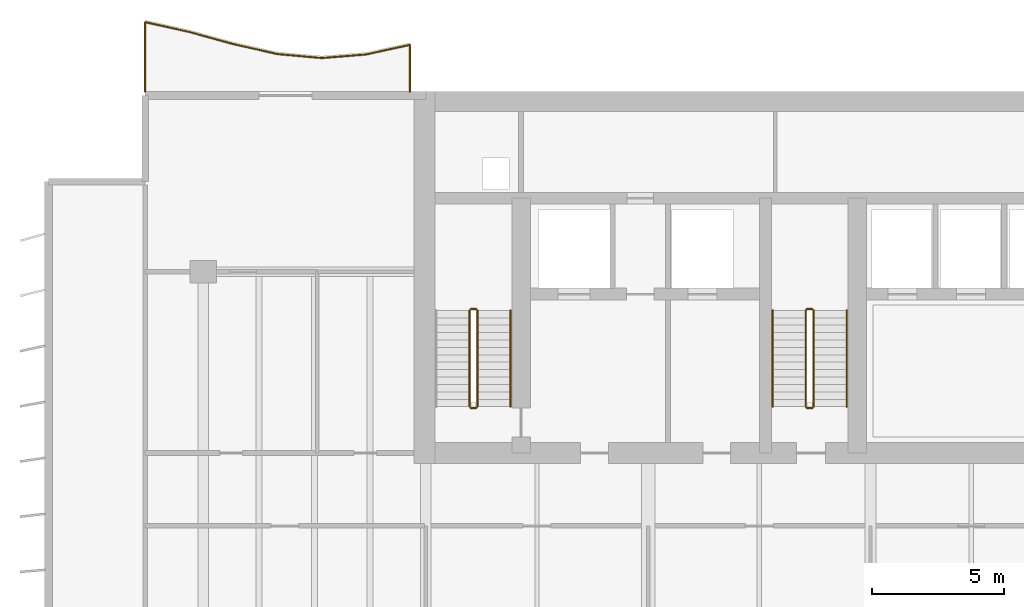
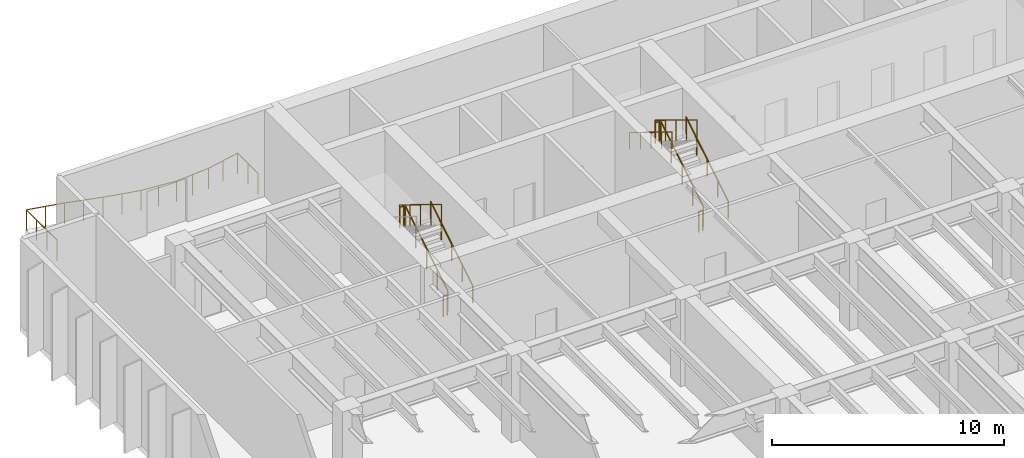
# One storey, part 14 of 16: 12 railings.
"""IFC4 building model written with IfcOpenShell, lengths in metres."""

import ifcopenshell
import ifcopenshell.guid

model = None  # the IFC model being written
_history = None  # IfcOwnerHistory: only IFC2X3 demands one
_inside = {}  # id of a spatial element -> (the spatial element, [elements in it])
_under = {}  # id of a project, library or spatial element -> (it, [spatial elements below it])
_declared = {}  # id of a project -> (the project, [libraries it declares])
_typed = {}  # id of a type object -> (the type object, [elements of that type])
_made_of = {}  # id of a material, layer set ... -> (it, [elements and type objects made of it])


def new_model(schema):
    """Start an empty IFC model of exactly this schema.

    Asked for "IFC4X3", IfcOpenShell would pick the latest addendum, in which some entities
    have other attributes; the version numbers below select the first issue.
    IFC2X3 requires an IfcOwnerHistory on every rooted entity: one is made here for all.
    """
    global model, _history
    if schema == "IFC4X3":
        model = ifcopenshell.file(schema_version=(4, 3, 0, 0))
    else:
        model = ifcopenshell.file(schema=schema)
    _inside.clear()
    _under.clear()
    _declared.clear()
    _typed.clear()
    _made_of.clear()
    _history = None
    if model.schema == "IFC2X3":
        org = make("IfcOrganization", Name="unknown")
        user = make(
            "IfcPersonAndOrganization",
            ThePerson=make("IfcPerson", FamilyName="unknown"),
            TheOrganization=org,
        )
        app = make(
            "IfcApplication",
            ApplicationDeveloper=org,
            Version="unknown",
            ApplicationFullName="unknown",
            ApplicationIdentifier="unknown",
        )
        _history = make(
            "IfcOwnerHistory",
            OwningUser=user,
            OwningApplication=app,
            ChangeAction="ADDED",
            CreationDate=0,
        )
    return model


def make(cls, **values):
    """One entity of the class cls with the attributes given. An attribute that is None is left unset."""
    return model.create_entity(
        cls, **{name: value for name, value in values.items() if value is not None}
    )


def rooted(cls, **values):
    """An entity with a GlobalId (a new one), such as an element, a storey or a relation."""
    return make(cls, GlobalId=ifcopenshell.guid.new(), OwnerHistory=_history, **values)


def si_unit(unit_type, name, prefix=None):
    """IfcSIUnit, for example si_unit("LENGTHUNIT", "METRE", prefix="MILLI")."""
    return make("IfcSIUnit", UnitType=unit_type, Prefix=prefix, Name=name)


def assignment(units):
    """IfcUnitAssignment: the units of a project."""
    return None if units is None else make("IfcUnitAssignment", Units=units)


def point(xyz):
    """IfcCartesianPoint."""
    return None if xyz is None else make("IfcCartesianPoint", Coordinates=xyz)


def direction(xyz):
    """IfcDirection."""
    return None if xyz is None else make("IfcDirection", DirectionRatios=xyz)


def frame(location, z_axis=None, x_axis=None):
    """IfcAxis2Placement3D, a coordinate frame: its origin and axes. An axis left out is left unset."""
    return make(
        "IfcAxis2Placement3D",
        Location=point(location),
        Axis=direction(z_axis),
        RefDirection=direction(x_axis),
    )


def frame_2d(location, x_axis=None):
    """IfcAxis2Placement2D, a coordinate frame in the plane: its origin and x axis."""
    return make(
        "IfcAxis2Placement2D", Location=point(location), RefDirection=direction(x_axis)
    )


def origin():
    """The frame at (0, 0, 0) with its axes left unset."""
    return frame((0.0, 0.0, 0.0))


def origin_2d():
    """The frame at (0, 0) in the plane with its x axis left unset."""
    return frame_2d((0.0, 0.0))


def place(relative_to, where):
    """IfcLocalPlacement: puts the frame where relative to a parent placement (None: the world)."""
    return make(
        "IfcLocalPlacement", PlacementRelTo=relative_to, RelativePlacement=where
    )


def context(
    kind, dimensions, precision=None, world=None, true_north=None, identifier=None
):
    """IfcGeometricRepresentationContext, for example the 3D "Model" context."""
    return make(
        "IfcGeometricRepresentationContext",
        ContextIdentifier=identifier,
        ContextType=kind,
        CoordinateSpaceDimension=dimensions,
        Precision=precision,
        WorldCoordinateSystem=world,
        TrueNorth=true_north,
    )


def subcontext(parent, identifier, kind, view, scale=None):
    """IfcGeometricRepresentationSubContext, for example "Body" below "Model"."""
    return make(
        "IfcGeometricRepresentationSubContext",
        ContextIdentifier=identifier,
        ContextType=kind,
        ParentContext=parent,
        TargetScale=scale,
        TargetView=view,
    )


def project(units=None, contexts=None):
    """IfcProject with its units and contexts."""
    return rooted(
        "IfcProject",
        Name="project",
        RepresentationContexts=contexts,
        UnitsInContext=assignment(units),
    )


def spatial(cls, under=None, at=None, **own):
    """A site, building, storey or space (cls), placed at a placement, below another one or the project."""
    s = rooted(cls, ObjectPlacement=at, **own)
    if under is not None:
        _under.setdefault(under.id(), (under, []))[1].append(s)
    return s


def profile(cls, at=None, kind="AREA", **sizes):
    """A parametric profile (cls). Its sizes go by their IFC names, for example OverallWidth=200.0."""
    return make(cls, ProfileType=kind, Position=at, **sizes)


def circle(**sizes):
    """IfcCircleProfileDef."""
    return profile("IfcCircleProfileDef", **sizes)


def extrude(swept, where, along, depth):
    """IfcExtrudedAreaSolid: the profile swept, set in the frame where, extruded along a direction by depth."""
    return make(
        "IfcExtrudedAreaSolid",
        SweptArea=swept,
        Position=where,
        ExtrudedDirection=direction(along),
        Depth=depth,
    )


def shape(context_of_items, identifier, shape_type, items):
    """IfcShapeRepresentation: the items that make up one representation, for example the "Body"."""
    return make(
        "IfcShapeRepresentation",
        ContextOfItems=context_of_items,
        RepresentationIdentifier=identifier,
        RepresentationType=shape_type,
        Items=items,
    )


def material(Name=None, Category=None):
    """IfcMaterial."""
    return make("IfcMaterial", Name=Name, Category=Category)


def made_of(thing, what):
    """Note that an element or type object is made of a material, layer set ...; save() writes the relation."""
    if what is not None:
        _made_of.setdefault(what.id(), (what, []))[1].append(thing)
    return thing


def type_object(cls, material=None, **own):
    """A type object (cls), such as IfcWallType, which elements share."""
    return made_of(rooted(cls, **own), material)


def element(
    cls,
    number,
    at=None,
    inside=None,
    cuts=None,
    type_object=None,
    material=None,
    context=None,
    identifier="Body",
    shape_type=None,
    held_by="IfcProductDefinitionShape",
    body=None,
    shapes=None,
    **own,
):
    """One element of the class cls, such as IfcWall. Its Tag is "e" and its number.

    at: its placement. inside: the storey or other place that contains it. cuts: it is an
    opening in that element (IfcRelVoidsElement). A single representation is given by context,
    identifier, shape_type and body (its items); several are given by shapes. held_by: the class
    of the entity that holds the representations. save() writes the other relations.
    """
    e = rooted(cls, Tag="e%d" % number, ObjectPlacement=at, **own)
    if body is not None:
        shapes = [shape(context, identifier, shape_type, body)]
    if shapes is not None:
        e.Representation = make(held_by, Representations=shapes)
    if inside is not None:
        _inside.setdefault(inside.id(), (inside, []))[1].append(e)
    if cuts is not None:
        rooted(
            "IfcRelVoidsElement", RelatingBuildingElement=cuts, RelatedOpeningElement=e
        )
    if type_object is not None:
        _typed.setdefault(type_object.id(), (type_object, []))[1].append(e)
    return made_of(e, material)


def aggregate(whole, parts):
    """IfcRelAggregates: a whole, such as a stair, and the parts it consists of."""
    return rooted("IfcRelAggregates", RelatingObject=whole, RelatedObjects=parts)


def save(model, path):
    """Write the relations noted so far, then the file.

    IfcRelAggregates (storeys below a building ...), IfcRelContainedInSpatialStructure (elements
    in a storey), IfcRelDefinesByType, IfcRelAssociatesMaterial and IfcRelDeclares: one each for
    every whole, place, type object, material and project.
    """
    for whole, parts in _under.values():
        aggregate(whole, parts)
    for where, things in _inside.values():
        rooted(
            "IfcRelContainedInSpatialStructure",
            RelatedElements=things,
            RelatingStructure=where,
        )
    for kind, things in _typed.values():
        rooted("IfcRelDefinesByType", RelatedObjects=things, RelatingType=kind)
    for what, things in _made_of.values():
        rooted("IfcRelAssociatesMaterial", RelatedObjects=things, RelatingMaterial=what)
    for by, libraries in _declared.values():
        rooted("IfcRelDeclares", RelatingContext=by, RelatedDefinitions=libraries)
    model.write(path)


model = new_model("IFC4")

# Units and contexts
model_context = context("Model", 3, precision=1e-05, world=origin(), true_north=direction((0.0, 1.0)))
body_context = subcontext(model_context, "Body", "Model", "MODEL_VIEW")
ifc_project = project(units=[si_unit("LENGTHUNIT", "METRE"), si_unit("AREAUNIT", "SQUARE_METRE"), si_unit("VOLUMEUNIT", "CUBIC_METRE"), si_unit("PLANEANGLEUNIT", "RADIAN"), si_unit("MASSUNIT", "GRAM", prefix="KILO")], contexts=[model_context])

# Site, building, storey
site_placement = place(None, origin())
site = spatial("IfcSite", under=ifc_project, at=site_placement, CompositionType="ELEMENT")
building_placement = place(site_placement, origin())
building = spatial("IfcBuilding", under=site, at=building_placement, Name="Caelmar Bay Residences", CompositionType="ELEMENT")
storey_placement = place(building_placement, frame((0.0, 0.0, 97.800048828125)))
storey = spatial("IfcBuildingStorey", under=building, at=storey_placement, Name="L26", CompositionType="ELEMENT", Elevation=97.800048828125)

# Railings
ifc_material_1 = material(Name="Anodised bronze handrail with laminated hurricane glass infill", Category="glass")
railing_type_1 = type_object("IfcRailingType", Name="RL-BAL-1100", PredefinedType="BALUSTRADE", material=ifc_material_1)
railing_1_placement = place(storey_placement, frame((17.699951171875, 50.60009765625, 0.0)))
element("IfcRailing", 1, at=railing_1_placement, inside=storey, type_object=railing_type_1, Name="L26 north_west Balcony Balustrade", PredefinedType="BALUSTRADE", context=body_context, shape_type="SweptSolid", body=[
    extrude(circle(Radius=0.02392578125, at=origin_2d()), frame((0.0, 0.0, 1.076171875), z_axis=(0.0, 1.0, 0.0), x_axis=(-1.0, 0.0, 0.0)), (0.0, 0.0, 1.0), 1.766845703125),
    extrude(circle(Radius=0.02392578125, at=origin_2d()), frame((0.0, 1.766845703125, 1.076171875), z_axis=(-0.976912151589, -0.213641400663, 0.0), x_axis=(0.213641400663, -0.976912151589, 0.0)), (0.0, 0.0, 1.0), 1.7060546875),
    extrude(circle(Radius=0.02392578125, at=origin_2d()), frame((-1.666748046875, 1.40234375, 1.076171875), z_axis=(-0.996862466726, -0.079153158067, 0.0), x_axis=(0.079153158067, -0.996862466726, 0.0)), (0.0, 0.0, 1.0), 1.671630859375),
    extrude(circle(Radius=0.02392578125, at=origin_2d()), frame((-3.333251953125, 1.27001953125, 1.076171875), z_axis=(-0.995980037416, 0.08957547136, 0.0), x_axis=(-0.08957547136, -0.995980037416, 0.0)), (0.0, 0.0, 1.0), 1.673583984375),
    extrude(circle(Radius=0.02392578125, at=origin_2d()), frame((-5.0, 1.419921875, 1.076171875), z_axis=(-0.975550811442, 0.219774007324, 0.0), x_axis=(-0.219774007324, -0.975550811442, 0.0)), (0.0, 0.0, 1.0), 1.70849609375),
    extrude(circle(Radius=0.02392578125, at=origin_2d()), frame((-6.666748046875, 1.79541015625, 1.076171875), z_axis=(-0.963993866583, 0.265924472718, 0.0), x_axis=(-0.265924472718, -0.963993866583, 0.0)), (0.0, 0.0, 1.0), 1.728759765625),
    extrude(circle(Radius=0.02392578125, at=origin_2d()), frame((-8.333251953125, 2.255126953125, 1.076171875), z_axis=(-0.976038819589, 0.21759646747, 0.0), x_axis=(-0.21759646747, -0.976038819589, 0.0)), (0.0, 0.0, 1.0), 1.707763671875),
    extrude(circle(Radius=0.02392578125, at=origin_2d()), frame((-10.0, 2.626708984375, 1.076171875), z_axis=(0.0, -1.0, 0.0), x_axis=(1.0, 0.0, 0.0)), (0.0, 0.0, 1.0), 2.626708984375),
    extrude(circle(Radius=0.02099609375, at=origin_2d()), origin(), (0.0, 0.0, 1.0), 1.052001953125),
    extrude(circle(Radius=0.02099609375, at=origin_2d()), frame((0.0, 0.88330078125, 0.0)), (0.0, 0.0, 1.0), 1.052001953125),
    extrude(circle(Radius=0.02099609375, at=origin_2d()), frame((0.0, 1.766845703125, 0.0)), (0.0, 0.0, 1.0), 1.052001953125),
    extrude(circle(Radius=0.02099609375, at=origin_2d()), frame((-0.83349609375, 1.58447265625, 0.0)), (0.0, 0.0, 1.0), 1.052001953125),
    extrude(circle(Radius=0.02099609375, at=origin_2d()), frame((-1.666748046875, 1.40234375, 0.0)), (0.0, 0.0, 1.0), 1.052001953125),
    extrude(circle(Radius=0.02099609375, at=origin_2d()), frame((-2.5, 1.336181640625, 0.0)), (0.0, 0.0, 1.0), 1.052001953125),
    extrude(circle(Radius=0.02099609375, at=origin_2d()), frame((-3.333251953125, 1.27001953125, 0.0)), (0.0, 0.0, 1.0), 1.052001953125),
    extrude(circle(Radius=0.02099609375, at=origin_2d()), frame((-4.16650390625, 1.344970703125, 0.0)), (0.0, 0.0, 1.0), 1.052001953125),
    extrude(circle(Radius=0.02099609375, at=origin_2d()), frame((-5.0, 1.419921875, 0.0)), (0.0, 0.0, 1.0), 1.052001953125),
    extrude(circle(Radius=0.02099609375, at=origin_2d()), frame((-5.83349609375, 1.607666015625, 0.0)), (0.0, 0.0, 1.0), 1.052001953125),
    extrude(circle(Radius=0.02099609375, at=origin_2d()), frame((-6.666748046875, 1.79541015625, 0.0)), (0.0, 0.0, 1.0), 1.052001953125),
    extrude(circle(Radius=0.02099609375, at=origin_2d()), frame((-7.5, 2.025390625, 0.0)), (0.0, 0.0, 1.0), 1.052001953125),
    extrude(circle(Radius=0.02099609375, at=origin_2d()), frame((-8.333251953125, 2.255126953125, 0.0)), (0.0, 0.0, 1.0), 1.052001953125),
    extrude(circle(Radius=0.02099609375, at=origin_2d()), frame((-9.16650390625, 2.44091796875, 0.0)), (0.0, 0.0, 1.0), 1.052001953125),
    extrude(circle(Radius=0.02099609375, at=origin_2d()), frame((-10.0, 2.626708984375, 0.0)), (0.0, 0.0, 1.0), 1.052001953125),
    extrude(circle(Radius=0.02099609375, at=origin_2d()), frame((-10.0, 1.751220703125, 0.0)), (0.0, 0.0, 1.0), 1.052001953125),
    extrude(circle(Radius=0.02099609375, at=origin_2d()), frame((-10.0, 0.87548828125, 0.0)), (0.0, 0.0, 1.0), 1.052001953125),
    extrude(circle(Radius=0.02099609375, at=origin_2d()), frame((-10.0, 0.0, 0.0)), (0.0, 0.0, 1.0), 1.052001953125),
])
ifc_material_2 = material(Name="Painted galvanized steel stair guard 1100 mm", Category="steel")
railing_type_2 = type_object("IfcRailingType", Name="RL-GRD-1100", PredefinedType="GUARDRAIL", material=ifc_material_2)
railing_2_placement = place(storey_placement, frame((20.25, 38.699951171875, 0.17138671875)))
element("IfcRailing", 2, at=railing_2_placement, inside=storey, type_object=railing_type_2, Name="L26 ST1 stair guard 1", PredefinedType="GUARDRAIL", context=body_context, shape_type="SweptSolid", body=[
    extrude(circle(Radius=0.02392578125, at=origin_2d()), frame((0.0, 0.0, 1.076171875), z_axis=(0.0, 0.852865859571, 0.52213008492), x_axis=(-1.0, 0.0, 0.0)), (0.0, 0.0, 1.0), 4.26806640625),
    extrude(circle(Radius=0.02099609375, at=origin_2d()), origin(), (0.0, 0.0, 1.0), 1.052001953125),
    extrude(circle(Radius=0.02099609375, at=origin_2d()), frame((0.0, 0.91015625, 0.55712890625)), (0.0, 0.0, 1.0), 1.052001953125),
    extrude(circle(Radius=0.02099609375, at=origin_2d()), frame((0.0, 1.820068359375, 1.1142578125)), (0.0, 0.0, 1.0), 1.052001953125),
    extrude(circle(Radius=0.02099609375, at=origin_2d()), frame((0.0, 2.72998046875, 1.67138671875)), (0.0, 0.0, 1.0), 1.052001953125),
    extrude(circle(Radius=0.02099609375, at=origin_2d()), frame((0.0, 3.64013671875, 2.228515625)), (0.0, 0.0, 1.0), 1.052001953125),
])
railing_3_placement = place(storey_placement, frame((20.199951171875, 42.389892578125, 2.39990234375)))
element("IfcRailing", 3, at=railing_3_placement, inside=storey, type_object=railing_type_2, Name="L26 ST1 stair guard 2", PredefinedType="GUARDRAIL", context=body_context, shape_type="SweptSolid", body=[
    extrude(circle(Radius=0.02392578125, at=origin_2d()), frame((0.0, 0.0, 1.076171875), z_axis=(-1.0, 0.0, 0.0), x_axis=(0.0, -1.0, 0.0)), (0.0, 0.0, 1.0), 0.199951171875),
    extrude(circle(Radius=0.02099609375, at=origin_2d()), origin(), (0.0, 0.0, 1.0), 1.052001953125),
    extrude(circle(Radius=0.02099609375, at=origin_2d()), frame((-0.199951171875, 0.0, 0.0)), (0.0, 0.0, 1.0), 1.052001953125),
])
railing_4_placement = place(storey_placement, frame((19.949951171875, 42.340087890625, 2.5712890625)))
element("IfcRailing", 4, at=railing_4_placement, inside=storey, type_object=railing_type_2, Name="L26 ST1 stair guard 3", PredefinedType="GUARDRAIL", context=body_context, shape_type="SweptSolid", body=[
    extrude(circle(Radius=0.02392578125, at=origin_2d()), frame((0.0, 0.0, 1.076171875), z_axis=(0.0, -0.852840387347, 0.522171689878), x_axis=(1.0, 0.0, 0.0)), (0.0, 0.0, 1.0), 4.268310546875),
    extrude(circle(Radius=0.02099609375, at=origin_2d()), origin(), (0.0, 0.0, 1.0), 1.052001953125),
    extrude(circle(Radius=0.02099609375, at=origin_2d()), frame((0.0, -0.91015625, 0.55712890625)), (0.0, 0.0, 1.0), 1.052001953125),
    extrude(circle(Radius=0.02099609375, at=origin_2d()), frame((0.0, -1.820068359375, 1.1142578125)), (0.0, 0.0, 1.0), 1.052001953125),
    extrude(circle(Radius=0.02099609375, at=origin_2d()), frame((0.0, -2.72998046875, 1.671630859375)), (0.0, 0.0, 1.0), 1.052001953125),
    extrude(circle(Radius=0.02099609375, at=origin_2d()), frame((0.0, -3.64013671875, 2.228759765625)), (0.0, 0.0, 1.0), 1.052001953125),
])
railing_5_placement = place(storey_placement, frame((20.199951171875, 38.64990234375, 0.0)))
element("IfcRailing", 5, at=railing_5_placement, inside=storey, type_object=railing_type_2, Name="L26 ST1 stair guard 4", PredefinedType="GUARDRAIL", context=body_context, shape_type="SweptSolid", body=[
    extrude(circle(Radius=0.02392578125, at=origin_2d()), frame((0.0, 0.0, 1.076171875), z_axis=(-1.0, 0.0, 0.0), x_axis=(0.0, -1.0, 0.0)), (0.0, 0.0, 1.0), 0.199951171875),
    extrude(circle(Radius=0.02099609375, at=origin_2d()), origin(), (0.0, 0.0, 1.0), 1.052001953125),
    extrude(circle(Radius=0.02099609375, at=origin_2d()), frame((-0.199951171875, 0.0, 0.0)), (0.0, 0.0, 1.0), 1.052001953125),
])
railing_6_placement = place(storey_placement, frame((32.949951171875, 38.699951171875, 0.17138671875)))
element("IfcRailing", 6, at=railing_6_placement, inside=storey, type_object=railing_type_2, Name="L26 ST3 stair guard 1", PredefinedType="GUARDRAIL", context=body_context, shape_type="SweptSolid", body=[
    extrude(circle(Radius=0.02392578125, at=origin_2d()), frame((0.0, 0.0, 1.076171875), z_axis=(0.0, 0.852865859571, 0.52213008492), x_axis=(-1.0, 0.0, 0.0)), (0.0, 0.0, 1.0), 4.26806640625),
    extrude(circle(Radius=0.02099609375, at=origin_2d()), origin(), (0.0, 0.0, 1.0), 1.052001953125),
    extrude(circle(Radius=0.02099609375, at=origin_2d()), frame((0.0, 0.91015625, 0.55712890625)), (0.0, 0.0, 1.0), 1.052001953125),
    extrude(circle(Radius=0.02099609375, at=origin_2d()), frame((0.0, 1.820068359375, 1.1142578125)), (0.0, 0.0, 1.0), 1.052001953125),
    extrude(circle(Radius=0.02099609375, at=origin_2d()), frame((0.0, 2.72998046875, 1.67138671875)), (0.0, 0.0, 1.0), 1.052001953125),
    extrude(circle(Radius=0.02099609375, at=origin_2d()), frame((0.0, 3.64013671875, 2.228515625)), (0.0, 0.0, 1.0), 1.052001953125),
])
railing_7_placement = place(storey_placement, frame((32.89990234375, 42.389892578125, 2.39990234375)))
element("IfcRailing", 7, at=railing_7_placement, inside=storey, type_object=railing_type_2, Name="L26 ST3 stair guard 2", PredefinedType="GUARDRAIL", context=body_context, shape_type="SweptSolid", body=[
    extrude(circle(Radius=0.02392578125, at=origin_2d()), frame((0.0, 0.0, 1.076171875), z_axis=(-1.0, 0.0, 0.0), x_axis=(0.0, -1.0, 0.0)), (0.0, 0.0, 1.0), 0.199951171875),
    extrude(circle(Radius=0.02099609375, at=origin_2d()), origin(), (0.0, 0.0, 1.0), 1.052001953125),
    extrude(circle(Radius=0.02099609375, at=origin_2d()), frame((-0.199951171875, 0.0, 0.0)), (0.0, 0.0, 1.0), 1.052001953125),
])
railing_8_placement = place(storey_placement, frame((32.64990234375, 42.340087890625, 2.5712890625)))
element("IfcRailing", 8, at=railing_8_placement, inside=storey, type_object=railing_type_2, Name="L26 ST3 stair guard 3", PredefinedType="GUARDRAIL", context=body_context, shape_type="SweptSolid", body=[
    extrude(circle(Radius=0.02392578125, at=origin_2d()), frame((0.0, 0.0, 1.076171875), z_axis=(0.0, -0.852840387347, 0.522171689878), x_axis=(1.0, 0.0, 0.0)), (0.0, 0.0, 1.0), 4.268310546875),
    extrude(circle(Radius=0.02099609375, at=origin_2d()), origin(), (0.0, 0.0, 1.0), 1.052001953125),
    extrude(circle(Radius=0.02099609375, at=origin_2d()), frame((0.0, -0.91015625, 0.55712890625)), (0.0, 0.0, 1.0), 1.052001953125),
    extrude(circle(Radius=0.02099609375, at=origin_2d()), frame((0.0, -1.820068359375, 1.1142578125)), (0.0, 0.0, 1.0), 1.052001953125),
    extrude(circle(Radius=0.02099609375, at=origin_2d()), frame((0.0, -2.72998046875, 1.671630859375)), (0.0, 0.0, 1.0), 1.052001953125),
    extrude(circle(Radius=0.02099609375, at=origin_2d()), frame((0.0, -3.64013671875, 2.228759765625)), (0.0, 0.0, 1.0), 1.052001953125),
])
railing_9_placement = place(storey_placement, frame((32.89990234375, 38.64990234375, 0.0)))
element("IfcRailing", 9, at=railing_9_placement, inside=storey, type_object=railing_type_2, Name="L26 ST3 stair guard 4", PredefinedType="GUARDRAIL", context=body_context, shape_type="SweptSolid", body=[
    extrude(circle(Radius=0.02392578125, at=origin_2d()), frame((0.0, 0.0, 1.076171875), z_axis=(-1.0, 0.0, 0.0), x_axis=(0.0, -1.0, 0.0)), (0.0, 0.0, 1.0), 0.199951171875),
    extrude(circle(Radius=0.02099609375, at=origin_2d()), origin(), (0.0, 0.0, 1.0), 1.052001953125),
    extrude(circle(Radius=0.02099609375, at=origin_2d()), frame((-0.199951171875, 0.0, 0.0)), (0.0, 0.0, 1.0), 1.052001953125),
])
ifc_material_3 = material(Name="Brushed bronze stainless-steel tubular handrail 900 mm", Category="steel")
railing_type_3 = type_object("IfcRailingType", Name="RL-HND-900", PredefinedType="HANDRAIL", material=ifc_material_3)
for number, where, name in (
    (10, (21.5, 38.699951171875, 0.17138671875), "L26 ST1 stair handrail 1"),
    (11, (34.199951171875, 38.699951171875, 0.17138671875), "L26 ST3 stair handrail 1"),
):
    element("IfcRailing", number, at=place(storey_placement, frame(where)), inside=storey, type_object=railing_type_3, Name=name, PredefinedType="HANDRAIL", context=body_context, shape_type="SweptSolid", body=[
        extrude(circle(Radius=0.02392578125, at=origin_2d()), frame((0.0, 0.0, 0.8759765625), z_axis=(0.0, 0.852865859571, 0.52213008492), x_axis=(-1.0, 0.0, 0.0)), (0.0, 0.0, 1.0), 4.26806640625),
        extrude(circle(Radius=0.02099609375, at=origin_2d()), origin(), (0.0, 0.0, 1.0), 0.851806640625),
        extrude(circle(Radius=0.02099609375, at=origin_2d()), frame((0.0, 0.91015625, 0.55712890625)), (0.0, 0.0, 1.0), 0.851806640625),
        extrude(circle(Radius=0.02099609375, at=origin_2d()), frame((0.0, 1.820068359375, 1.1142578125)), (0.0, 0.0, 1.0), 0.851806640625),
        extrude(circle(Radius=0.02099609375, at=origin_2d()), frame((0.0, 2.72998046875, 1.67138671875)), (0.0, 0.0, 1.0), 0.851806640625),
        extrude(circle(Radius=0.02099609375, at=origin_2d()), frame((0.0, 3.64013671875, 2.228515625)), (0.0, 0.0, 1.0), 0.851806640625),
    ])
railing_10_placement = place(storey_placement, frame((31.39990234375, 42.340087890625, 2.5712890625)))
element("IfcRailing", 12, at=railing_10_placement, inside=storey, type_object=railing_type_3, Name="L26 ST3 stair handrail 2", PredefinedType="HANDRAIL", context=body_context, shape_type="SweptSolid", body=[
    extrude(circle(Radius=0.02392578125, at=origin_2d()), frame((0.0, 0.0, 0.8759765625), z_axis=(0.0, -0.852840387347, 0.522171689878), x_axis=(1.0, 0.0, 0.0)), (0.0, 0.0, 1.0), 4.268310546875),
    extrude(circle(Radius=0.02099609375, at=origin_2d()), origin(), (0.0, 0.0, 1.0), 0.851806640625),
    extrude(circle(Radius=0.02099609375, at=origin_2d()), frame((0.0, -0.91015625, 0.55712890625)), (0.0, 0.0, 1.0), 0.851806640625),
    extrude(circle(Radius=0.02099609375, at=origin_2d()), frame((0.0, -1.820068359375, 1.1142578125)), (0.0, 0.0, 1.0), 0.851806640625),
    extrude(circle(Radius=0.02099609375, at=origin_2d()), frame((0.0, -2.72998046875, 1.671630859375)), (0.0, 0.0, 1.0), 0.851806640625),
    extrude(circle(Radius=0.02099609375, at=origin_2d()), frame((0.0, -3.64013671875, 2.228759765625)), (0.0, 0.0, 1.0), 0.851806640625),
])

save(model, "model.ifc")
